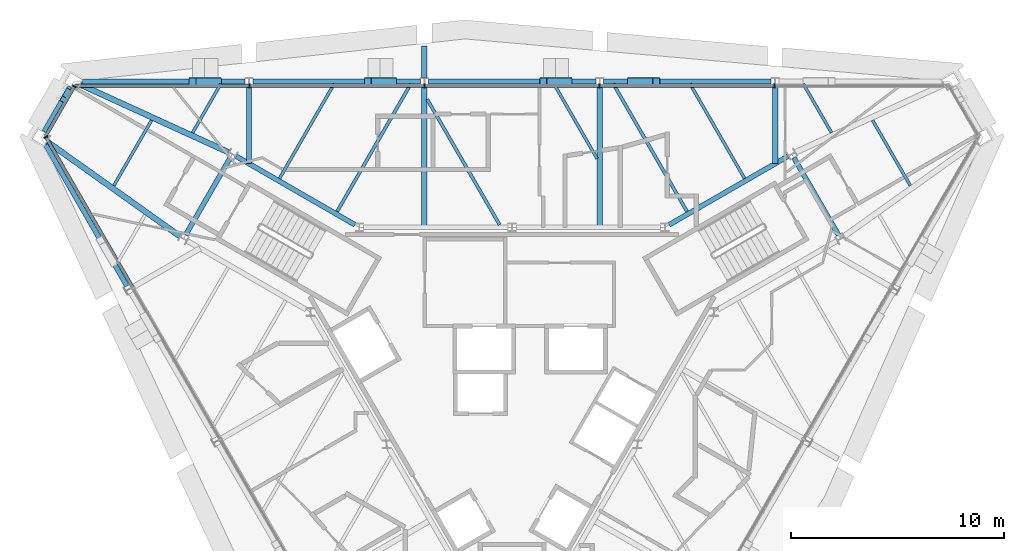
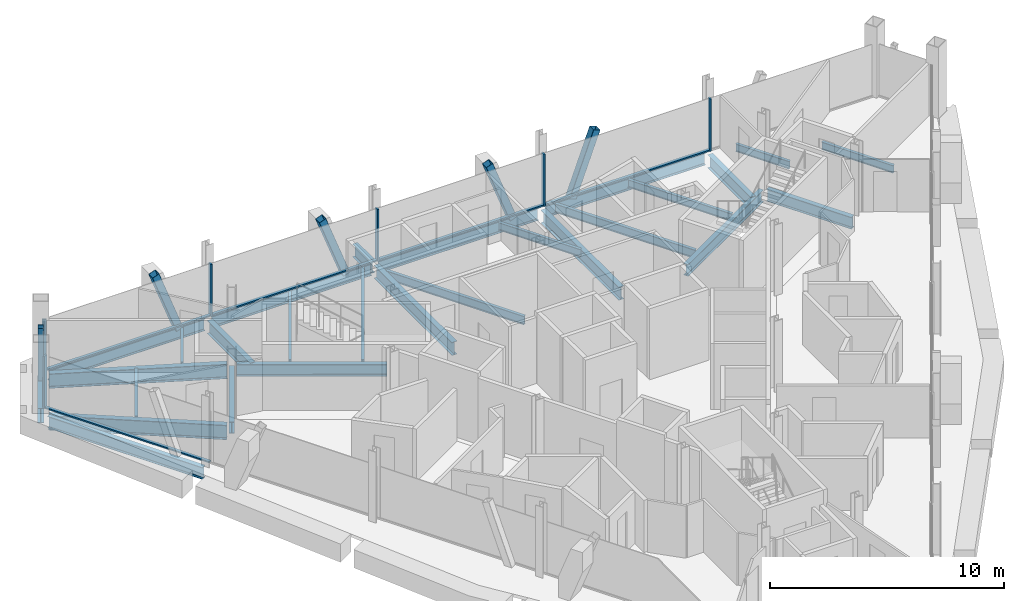
# One storey, part 5 of 13: 27 beams, 17 members, 3 elements without a shape of their own.
"""IFC4 building model written with IfcOpenShell, lengths in metres."""

from ifc_helpers import new_model, si_unit, direction, frame, origin, origin_2d, place, context, subcontext, project, spatial, rectangle, hollow_rectangle, i_section, extrude, material, material_profile, profile_set, type_object, element, aggregate, save


model = new_model("IFC4")

# Units and contexts
model_context = context("Model", 3, precision=1e-05, world=origin(), true_north=direction((0.0, 1.0)))
body_context = subcontext(model_context, "Body", "Model", "MODEL_VIEW")
ifc_project = project(units=[si_unit("LENGTHUNIT", "METRE"), si_unit("AREAUNIT", "SQUARE_METRE"), si_unit("VOLUMEUNIT", "CUBIC_METRE"), si_unit("PLANEANGLEUNIT", "RADIAN"), si_unit("MASSUNIT", "GRAM", prefix="KILO")], contexts=[model_context])

# Site, building, storey
site_placement = place(None, origin())
site = spatial("IfcSite", under=ifc_project, at=site_placement, CompositionType="ELEMENT")
building_placement = place(site_placement, origin())
building = spatial("IfcBuilding", under=site, at=building_placement, Name="Verrane Prism Tower", CompositionType="ELEMENT")
storey_placement = place(building_placement, frame((0.0, 0.0, 289.89990234375)))
storey = spatial("IfcBuildingStorey", under=building, at=storey_placement, Name="L73", CompositionType="ELEMENT", Elevation=289.89990234375)

# Member
ifc_material_1 = material(Name="Steel A500 Grade C", Category="steel")
ifc_material_profile_1 = material_profile(ifc_material_1, hollow_rectangle(XDim=0.25390625, YDim=0.25390625, WallThickness=0.009521484375, InnerFilletRadius=0.0048828125, OuterFilletRadius=0.014404296875, at=origin_2d()), Name="HSS10x10x3/8")
ifc_profile_set_1 = profile_set([ifc_material_profile_1], Name="Steel A500 Grade C")
member_type_1 = type_object("IfcMemberType", Name="Chamfer brace HSS10x10x3/8", PredefinedType="BRACE", material=ifc_profile_set_1)
member_1_placement = place(storey_placement, frame((-20.87353515625, 13.176513671875, -0.242431640625), z_axis=(-0.067861913608, -0.117357529496, 0.990768374017), x_axis=(0.865688187955, -0.500583620621, 0.0)))
element("IfcMember", 1, at=member_1_placement, inside=storey, type_object=member_type_1, Name="Chamfer brace NW0 L73", PredefinedType="BRACE", context=body_context, shape_type="SweptSolid", body=[
    extrude(hollow_rectangle(XDim=0.25390625, YDim=0.25390625, WallThickness=0.009521484375, InnerFilletRadius=0.0048828125, OuterFilletRadius=0.014404296875, at=origin_2d()), origin(), (0.0, 0.0, 1.0), 3.13720703125),
])

# Beams
ifc_material_2 = material(Name="Steel A992", Category="steel")
ifc_material_profile_2 = material_profile(ifc_material_2, i_section(OverallWidth=0.2666015625, OverallDepth=0.7568359375, WebThickness=0.013916015625, FlangeThickness=0.019287109375, FilletRadius=0.0166015625, at=origin_2d()), Name="W30x108")
ifc_profile_set_2 = profile_set([ifc_material_profile_2], Name="Steel A992")
beam_type_1 = type_object("IfcBeamType", Name="Chamfer spandrel beam W30x108", PredefinedType="SPANDREL", material=ifc_profile_set_2)
beam_1_placement = place(storey_placement, frame((-20.75, 13.390380859375, -0.538330078125), z_axis=(-0.500436097356, -0.865773476415, 0.0), x_axis=(0.865773476415, -0.500436097356, 0.0)))
element("IfcBeam", 2, at=beam_1_placement, inside=storey, type_object=beam_type_1, Name="Chamfer spandrel beam L73", PredefinedType="SPANDREL", context=body_context, shape_type="SweptSolid", body=[
    extrude(i_section(OverallWidth=0.2666015625, OverallDepth=0.7568359375, WebThickness=0.013916015625, FlangeThickness=0.019287109375, FilletRadius=0.0166015625, at=origin_2d()), origin(), (0.0, 0.0, 1.0), 2.437744140625),
])
ifc_material_3 = material(Name="Steel A992", Category="steel")
ifc_material_profile_3 = material_profile(ifc_material_3, i_section(OverallWidth=0.23046875, OverallDepth=0.6171875, WebThickness=0.01318359375, FlangeThickness=0.022216796875, FilletRadius=0.012939453125, at=origin_2d()), Name="W24x94")
ifc_profile_set_3 = profile_set([ifc_material_profile_3], Name="Steel A992")
beam_type_2 = type_object("IfcBeamType", Name="Core ring girder W24x94", PredefinedType="BEAM", material=ifc_profile_set_3)
beam_2_placement = place(storey_placement, frame((15.339599609375, 6.43359375, -0.55859375), z_axis=(-0.500306681185, 0.865848268903, 0.0), x_axis=(-0.865848268903, -0.500306681185, 0.0)))
element("IfcBeam", 3, at=beam_2_placement, inside=storey, type_object=beam_type_2, Name="Core ring girder L73", PredefinedType="BEAM", context=body_context, shape_type="SweptSolid", body=[
    extrude(i_section(OverallWidth=0.23046875, OverallDepth=0.6171875, WebThickness=0.01318359375, FlangeThickness=0.022216796875, FilletRadius=0.012939453125, at=origin_2d()), origin(), (0.0, 0.0, 1.0), 4.195556640625),
])
for number, where, z_axis, x_axis, name in (
    (4, (12.96728515625, 10.140380859375, -0.55859375), (-0.866080992722, -0.499903704773, 0.0), (0.499903704773, -0.866080992722, 0.0), "Core ring girder L73"),
    (5, (-7.37939453125, 6.9150390625, -0.55859375), (-0.866080992722, 0.499903704773, 0.0), (-0.499903704773, -0.866080992722, 0.0), "Core ring girder L73"),
):
    element("IfcBeam", number, at=place(storey_placement, frame(where, z_axis=z_axis, x_axis=x_axis)), inside=storey, type_object=beam_type_2, Name=name, PredefinedType="BEAM", context=body_context, shape_type="SweptSolid", body=[
        extrude(i_section(OverallWidth=0.23046875, OverallDepth=0.6171875, WebThickness=0.01318359375, FlangeThickness=0.022216796875, FilletRadius=0.012939453125, at=origin_2d()), origin(), (0.0, 0.0, 1.0), 6.451904296875),
    ])
beam_3_placement = place(storey_placement, frame((-13.240478515625, 10.06640625, -0.55859375), z_axis=(-0.500306681185, -0.865848268903, 0.0), x_axis=(0.865848268903, -0.500306681185, 0.0)))
element("IfcBeam", 6, at=beam_3_placement, inside=storey, type_object=beam_type_2, Name="Core ring girder L73", PredefinedType="BEAM", context=body_context, shape_type="SweptSolid", body=[
    extrude(i_section(OverallWidth=0.23046875, OverallDepth=0.6171875, WebThickness=0.01318359375, FlangeThickness=0.022216796875, FilletRadius=0.012939453125, at=origin_2d()), origin(), (0.0, 0.0, 1.0), 4.195556640625),
])
ifc_material_4 = material(Name="Steel A992", Category="steel")
ifc_material_profile_4 = material_profile(ifc_material_4, i_section(OverallWidth=0.2666015625, OverallDepth=0.7568359375, WebThickness=0.013916015625, FlangeThickness=0.019287109375, FilletRadius=0.0166015625, at=origin_2d()), Name="W30x108")
ifc_profile_set_4 = profile_set([ifc_material_profile_4], Name="Steel A992")
beam_type_3 = type_object("IfcBeamType", Name="Corner girder W30x108", PredefinedType="BEAM", material=ifc_profile_set_4)
for number, where, z_axis, x_axis, name in (
    (7, (-20.2802734375, 13.50390625, -0.598388671875), (0.909481370613, -0.415744677065, 0.0), (0.415744677065, 0.909481370613, 0.0), "Corner girder L73"),
    (8, (-21.833740234375, 10.81591796875, -0.598388671875), (0.814401339816, -0.580302040067, 0.0), (0.580302040067, 0.814401339816, 0.0), "Corner girder L73"),
):
    element("IfcBeam", number, at=place(storey_placement, frame(where, z_axis=z_axis, x_axis=x_axis)), inside=storey, type_object=beam_type_3, Name=name, PredefinedType="BEAM", context=body_context, shape_type="SweptSolid", body=[
        extrude(i_section(OverallWidth=0.2666015625, OverallDepth=0.7568359375, WebThickness=0.013916015625, FlangeThickness=0.019287109375, FilletRadius=0.0166015625, at=origin_2d()), origin(), (0.0, 0.0, 1.0), 7.650634765625),
    ])

# Members
ifc_material_5 = material(Name="Steel A500 Grade C", Category="steel")
ifc_material_profile_5 = material_profile(ifc_material_5, hollow_rectangle(XDim=0.355712890625, YDim=0.355712890625, WallThickness=0.0126953125, InnerFilletRadius=0.00634765625, OuterFilletRadius=0.01904296875, at=origin_2d()), Name="HSS14x14x1/2")
ifc_profile_set_5 = profile_set([ifc_material_profile_5], Name="Steel A500 Grade C")
member_type_2 = type_object("IfcMemberType", Name="Facade brace HSS14x14x1/2", PredefinedType="BRACE", material=ifc_profile_set_5)
for number, where, z_axis, x_axis, name in (
    (9, (5.5869140625, 13.64990234375, -0.216552734375), (0.34797434891, 0.0, 0.937504054658), (0.0, 1.0, 0.0), "Facade brace N1 L73"),
    (10, (2.6533203125, 13.64990234375, -0.216552734375), (-0.348037289442, 0.0, 0.937480690552), (0.0, -1.0, 0.0), "Facade brace N2 L73"),
    (11, (-5.5869140625, 13.64990234375, -0.216552734375), (-0.34797434891, 0.0, 0.937504054658), (0.0, -1.0, 0.0), "Facade brace N3 L73"),
    (12, (-13.826904296875, 13.64990234375, -0.216552734375), (-0.34797434891, 0.0, 0.937504054658), (0.0, -1.0, 0.0), "Facade brace N4 L73"),
):
    element("IfcMember", number, at=place(storey_placement, frame(where, z_axis=z_axis, x_axis=x_axis)), inside=storey, type_object=member_type_2, Name=name, PredefinedType="BRACE", context=body_context, shape_type="SweptSolid", body=[
        extrude(hollow_rectangle(XDim=0.355712890625, YDim=0.355712890625, WallThickness=0.0126953125, InnerFilletRadius=0.00634765625, OuterFilletRadius=0.01904296875, at=origin_2d()), origin(), (0.0, 0.0, 1.0), 3.4091796875),
    ])

# Beams
ifc_material_6 = material(Name="Steel A992", Category="steel")
ifc_material_profile_6 = material_profile(ifc_material_6, i_section(OverallWidth=0.140380859375, OverallDepth=0.40380859375, WebThickness=0.007080078125, FlangeThickness=0.01123046875, FilletRadius=0.01025390625, at=origin_2d()), Name="W16x31")
ifc_profile_set_6 = profile_set([ifc_material_profile_6], Name="Steel A992")
beam_type_4 = type_object("IfcBeamType", Name="Floor beam W16x31", PredefinedType="BEAM", material=ifc_profile_set_6)
beam_4_placement = place(storey_placement, frame((15.01123046875, 11.2421875, -0.36181640625), z_axis=(-0.50007632508, 0.865981332994, 0.0), x_axis=(-0.865981332994, -0.50007632508, 0.0)))
element("IfcBeam", 13, at=beam_4_placement, inside=storey, type_object=beam_type_4, Name="Floor beam L73", PredefinedType="BEAM", context=body_context, shape_type="SweptSolid", body=[
    extrude(i_section(OverallWidth=0.140380859375, OverallDepth=0.40380859375, WebThickness=0.007080078125, FlangeThickness=0.01123046875, FilletRadius=0.01025390625, at=origin_2d()), origin(), (0.0, 0.0, 1.0), 2.6474609375),
])
beam_5_placement = place(storey_placement, frame((10.925048828125, 9.094482421875, -0.36181640625), z_axis=(-0.500005474671, 0.866022242959, 0.0), x_axis=(-0.866022242959, -0.500005474671, 0.0)))
element("IfcBeam", 14, at=beam_5_placement, inside=storey, type_object=beam_type_4, Name="Floor beam L73", PredefinedType="BEAM", context=body_context, shape_type="SweptSolid", body=[
    extrude(i_section(OverallWidth=0.140380859375, OverallDepth=0.40380859375, WebThickness=0.007080078125, FlangeThickness=0.01123046875, FilletRadius=0.01025390625, at=origin_2d()), origin(), (0.0, 0.0, 1.0), 5.12744140625),
])
beam_6_placement = place(storey_placement, frame((3.992919921875, 10.029296875, -0.36181640625), z_axis=(-0.499992196334, 0.866029909186, 0.0), x_axis=(-0.866029909186, -0.499992196334, 0.0)))
element("IfcBeam", 15, at=beam_6_placement, inside=storey, type_object=beam_type_4, Name="Floor beam L73", PredefinedType="BEAM", context=body_context, shape_type="SweptSolid", body=[
    extrude(i_section(OverallWidth=0.140380859375, OverallDepth=0.40380859375, WebThickness=0.007080078125, FlangeThickness=0.01123046875, FilletRadius=0.01025390625, at=origin_2d()), origin(), (0.0, 0.0, 1.0), 4.0478515625),
])
beam_7_placement = place(storey_placement, frame((-10.925048828125, 9.094482421875, -0.36181640625), z_axis=(0.500005474671, 0.866022242959, 0.0), x_axis=(-0.866022242959, 0.500005474671, 0.0)))
element("IfcBeam", 16, at=beam_7_placement, inside=storey, type_object=beam_type_4, Name="Floor beam L73", PredefinedType="BEAM", context=body_context, shape_type="SweptSolid", body=[
    extrude(i_section(OverallWidth=0.140380859375, OverallDepth=0.40380859375, WebThickness=0.007080078125, FlangeThickness=0.01123046875, FilletRadius=0.01025390625, at=origin_2d()), origin(), (0.0, 0.0, 1.0), 5.12744140625),
])
beam_8_placement = place(storey_placement, frame((-15.01123046875, 11.2421875, -0.36181640625), z_axis=(0.50007632508, 0.865981332994, 0.0), x_axis=(-0.865981332994, 0.50007632508, 0.0)))
element("IfcBeam", 17, at=beam_8_placement, inside=storey, type_object=beam_type_4, Name="Floor beam L73", PredefinedType="BEAM", context=body_context, shape_type="SweptSolid", body=[
    extrude(i_section(OverallWidth=0.140380859375, OverallDepth=0.40380859375, WebThickness=0.007080078125, FlangeThickness=0.01123046875, FilletRadius=0.01025390625, at=origin_2d()), origin(), (0.0, 0.0, 1.0), 2.6474609375),
])
for number, where, z_axis, x_axis, name in (
    (18, (18.712158203125, 8.755615234375, -0.36181640625), (-0.499986454343, 0.866033224232, 0.0), (-0.866033224232, -0.499986454343, 0.0), "Floor beam L73"),
    (19, (-18.712158203125, 8.755615234375, -0.36181640625), (0.499986454343, 0.866033224232, 0.0), (-0.866033224232, 0.499986454343, 0.0), "Floor beam L73"),
):
    element("IfcBeam", number, at=place(storey_placement, frame(where, z_axis=z_axis, x_axis=x_axis)), inside=storey, type_object=beam_type_4, Name=name, PredefinedType="BEAM", context=body_context, shape_type="SweptSolid", body=[
        extrude(i_section(OverallWidth=0.140380859375, OverallDepth=0.40380859375, WebThickness=0.007080078125, FlangeThickness=0.01123046875, FilletRadius=0.01025390625, at=origin_2d()), origin(), (0.0, 0.0, 1.0), 3.548828125),
    ])
ifc_material_7 = material(Name="Steel A992", Category="steel")
ifc_material_profile_7 = material_profile(ifc_material_7, i_section(OverallWidth=0.15234375, OverallDepth=0.449462890625, WebThickness=0.007568359375, FlangeThickness=0.0107421875, FilletRadius=0.01025390625, at=origin_2d()), Name="W18x35")
ifc_profile_set_7 = profile_set([ifc_material_profile_7], Name="Steel A992")
beam_type_5 = type_object("IfcBeamType", Name="Floor beam W18x35", PredefinedType="BEAM", material=ifc_profile_set_7)
beam_9_placement = place(storey_placement, frame((8.22265625, 7.53466796875, -0.384765625), z_axis=(-0.500012221024, 0.866018347858, 0.0), x_axis=(-0.866018347858, -0.500012221024, 0.0)))
element("IfcBeam", 20, at=beam_9_placement, inside=storey, type_object=beam_type_5, Name="Floor beam L73", PredefinedType="BEAM", context=body_context, shape_type="SweptSolid", body=[
    extrude(i_section(OverallWidth=0.15234375, OverallDepth=0.449462890625, WebThickness=0.007568359375, FlangeThickness=0.0107421875, FilletRadius=0.01025390625, at=origin_2d()), origin(), (0.0, 0.0, 1.0), 6.928466796875),
])
beam_10_placement = place(storey_placement, frame((-0.583251953125, 6.9150390625, -0.384765625), z_axis=(-0.499997234054, 0.866027000698, 0.0), x_axis=(-0.866027000698, -0.499997234054, 0.0)))
element("IfcBeam", 21, at=beam_10_placement, inside=storey, type_object=beam_type_5, Name="Floor beam L73", PredefinedType="BEAM", context=body_context, shape_type="SweptSolid", body=[
    extrude(i_section(OverallWidth=0.15234375, OverallDepth=0.449462890625, WebThickness=0.007568359375, FlangeThickness=0.0107421875, FilletRadius=0.01025390625, at=origin_2d()), origin(), (0.0, 0.0, 1.0), 6.8193359375),
])
beam_11_placement = place(storey_placement, frame((-8.22265625, 7.53466796875, -0.384765625), z_axis=(0.500012221024, 0.866018347858, 0.0), x_axis=(-0.866018347858, 0.500012221024, 0.0)))
element("IfcBeam", 22, at=beam_11_placement, inside=storey, type_object=beam_type_5, Name="Floor beam L73", PredefinedType="BEAM", context=body_context, shape_type="SweptSolid", body=[
    extrude(i_section(OverallWidth=0.15234375, OverallDepth=0.449462890625, WebThickness=0.007568359375, FlangeThickness=0.0107421875, FilletRadius=0.01025390625, at=origin_2d()), origin(), (0.0, 0.0, 1.0), 6.928466796875),
])

# Curtain wall, members
ifc_material_8 = material(Name="Aluminium framed insulated glazing", Category="aluminium")
curtain_wall_type = type_object("IfcCurtainWallType", Name="Curtain wall CW-A 8400 module", PredefinedType="NOTDEFINED", material=ifc_material_8)
curtain_wall_1_placement = place(storey_placement, origin())
curtain_wall_1 = element("IfcCurtainWall", 23, at=curtain_wall_1_placement, inside=storey, type_object=curtain_wall_type, Name="Glazed curtain wall north face L73", PredefinedType="NOTDEFINED")
ifc_material_9 = material(Name="Aluminium alloy 6063-T6", Category="aluminium")
ifc_material_profile_8 = material_profile(ifc_material_9, rectangle(XDim=0.199951171875, YDim=0.070068359375, at=origin_2d()), Name="Mullion 70x200 aluminium")
ifc_profile_set_8 = profile_set([ifc_material_profile_8], Name="Aluminium alloy 6063-T6")
member_type_3 = type_object("IfcMemberType", Name="Mullion 70x200 aluminium", PredefinedType="MULLION", material=ifc_profile_set_8)
member_2_placement = place(storey_placement, frame((12.32763671875, 13.447265625, 0.0), z_axis=(0.0, 0.0, 1.0), x_axis=(0.0, -1.0, 0.0)))
member_2 = element("IfcMember", 24, at=member_2_placement, type_object=member_type_3, Name="CW72.2 mullion 2", PredefinedType="MULLION", context=body_context, shape_type="SweptSolid", body=[
    extrude(rectangle(XDim=0.199951171875, YDim=0.070068359375, at=origin_2d()), origin(), (0.0, 0.0, 1.0), 2.72314453125),
])
member_3_placement = place(storey_placement, frame((4.109130859375, 13.447265625, 0.0), z_axis=(0.0, 0.0, 1.0), x_axis=(0.0, -1.0, 0.0)))
member_3 = element("IfcMember", 25, at=member_3_placement, type_object=member_type_3, Name="CW72.2 mullion 3", PredefinedType="MULLION", context=body_context, shape_type="SweptSolid", body=[
    extrude(rectangle(XDim=0.199951171875, YDim=0.070068359375, at=origin_2d()), origin(), (0.0, 0.0, 1.0), 2.72314453125),
])
member_4_placement = place(storey_placement, frame((-4.109130859375, 13.447265625, 0.0), z_axis=(0.0, 0.0, 1.0), x_axis=(0.0, -1.0, 0.0)))
member_4 = element("IfcMember", 26, at=member_4_placement, type_object=member_type_3, Name="CW72.2 mullion 4", PredefinedType="MULLION", context=body_context, shape_type="SweptSolid", body=[
    extrude(rectangle(XDim=0.199951171875, YDim=0.070068359375, at=origin_2d()), origin(), (0.0, 0.0, 1.0), 2.72314453125),
])
member_5_placement = place(storey_placement, frame((-12.32763671875, 13.447265625, 0.0), z_axis=(0.0, 0.0, 1.0), x_axis=(0.0, -1.0, 0.0)))
member_5 = element("IfcMember", 27, at=member_5_placement, type_object=member_type_3, Name="CW72.2 mullion 5", PredefinedType="MULLION", context=body_context, shape_type="SweptSolid", body=[
    extrude(rectangle(XDim=0.199951171875, YDim=0.070068359375, at=origin_2d()), origin(), (0.0, 0.0, 1.0), 2.72314453125),
])

# Curtain wall, member
curtain_wall_2_placement = place(storey_placement, origin())
curtain_wall_2 = element("IfcCurtainWall", 28, at=curtain_wall_2_placement, inside=storey, type_object=curtain_wall_type, Name="Glazed curtain wall north-west corner L73", PredefinedType="NOTDEFINED")
member_6_placement = place(storey_placement, frame((-20.563720703125, 13.4169921875, 0.0), z_axis=(0.0, 0.0, 1.0), x_axis=(0.866024225493, -0.500002040855, 0.0)))
member_6 = element("IfcMember", 29, at=member_6_placement, type_object=member_type_3, Name="CW72.3 mullion 1", PredefinedType="MULLION", context=body_context, shape_type="SweptSolid", body=[
    extrude(rectangle(XDim=0.199951171875, YDim=0.070068359375, at=origin_2d()), origin(), (0.0, 0.0, 1.0), 2.72314453125),
])

curtain_wall_3_placement = place(storey_placement, origin())
curtain_wall_3 = element("IfcCurtainWall", 30, at=curtain_wall_3_placement, inside=storey, type_object=curtain_wall_type, Name="Glazed curtain wall south-west face L73", PredefinedType="NOTDEFINED")
member_7_placement = place(storey_placement, frame((-21.901123046875, 11.03955078125, 0.0), z_axis=(0.0, 0.0, 1.0), x_axis=(0.866024861728, 0.500000938868, 0.0)))
member_7 = element("IfcMember", 31, at=member_7_placement, type_object=member_type_3, Name="CW72.4 mullion 1", PredefinedType="MULLION", context=body_context, shape_type="SweptSolid", body=[
    extrude(rectangle(XDim=0.199951171875, YDim=0.070068359375, at=origin_2d()), origin(), (0.0, 0.0, 1.0), 2.72314453125),
])

# Beams
ifc_material_10 = material(Name="Steel A992", Category="steel")
ifc_material_profile_9 = material_profile(ifc_material_10, i_section(OverallWidth=0.25390625, OverallDepth=0.683349609375, WebThickness=0.012451171875, FlangeThickness=0.01904296875, FilletRadius=0.01513671875, at=origin_2d()), Name="W27x94")
ifc_profile_set_9 = profile_set([ifc_material_profile_9], Name="Steel A992")
beam_type_6 = type_object("IfcBeamType", Name="Radial girder W27x94", PredefinedType="BEAM", material=ifc_profile_set_9)
beam_12_placement = place(storey_placement, frame((12.360107421875, 13.4658203125, -0.5615234375), z_axis=(0.0, -1.0, 0.0), x_axis=(1.0, 0.0, 0.0)))
element("IfcBeam", 32, at=beam_12_placement, inside=storey, type_object=beam_type_6, Name="Radial girder L73", PredefinedType="BEAM", context=body_context, shape_type="SweptSolid", body=[
    extrude(i_section(OverallWidth=0.25390625, OverallDepth=0.683349609375, WebThickness=0.012451171875, FlangeThickness=0.01904296875, FilletRadius=0.01513671875, at=origin_2d()), origin(), (0.0, 0.0, 1.0), 3.676025390625),
])
for number, where, z_axis, x_axis, name in (
    (33, (4.1201171875, 13.4658203125, -0.5615234375), (0.0, -1.0, 0.0), (1.0, 0.0, 0.0), "Radial girder L73"),
    (34, (-4.1201171875, 13.4658203125, -0.5615234375), (0.0, -1.0, 0.0), (1.0, 0.0, 0.0), "Radial girder L73"),
):
    element("IfcBeam", number, at=place(storey_placement, frame(where, z_axis=z_axis, x_axis=x_axis)), inside=storey, type_object=beam_type_6, Name=name, PredefinedType="BEAM", context=body_context, shape_type="SweptSolid", body=[
        extrude(i_section(OverallWidth=0.25390625, OverallDepth=0.683349609375, WebThickness=0.012451171875, FlangeThickness=0.01904296875, FilletRadius=0.01513671875, at=origin_2d()), origin(), (0.0, 0.0, 1.0), 6.665771484375),
    ])
beam_13_placement = place(storey_placement, frame((-12.360107421875, 13.4658203125, -0.5615234375), z_axis=(0.0, -1.0, 0.0), x_axis=(1.0, 0.0, 0.0)))
element("IfcBeam", 35, at=beam_13_placement, inside=storey, type_object=beam_type_6, Name="Radial girder L73", PredefinedType="BEAM", context=body_context, shape_type="SweptSolid", body=[
    extrude(i_section(OverallWidth=0.25390625, OverallDepth=0.683349609375, WebThickness=0.012451171875, FlangeThickness=0.01904296875, FilletRadius=0.01513671875, at=origin_2d()), origin(), (0.0, 0.0, 1.0), 3.676025390625),
])
beam_14_placement = place(storey_placement, frame((-4.1201171875, 13.830078125, -0.5615234375), z_axis=(0.0, 1.0, 0.0), x_axis=(-1.0, 0.0, 0.0)))
element("IfcBeam", 36, at=beam_14_placement, inside=storey, type_object=beam_type_6, Name="Cantilever girder L73", PredefinedType="BEAM", context=body_context, shape_type="SweptSolid", body=[
    extrude(i_section(OverallWidth=0.25390625, OverallDepth=0.683349609375, WebThickness=0.012451171875, FlangeThickness=0.01904296875, FilletRadius=0.01513671875, at=origin_2d()), origin(), (0.0, 0.0, 1.0), 1.475830078125),
])
ifc_material_11 = material(Name="Steel A992", Category="steel")
ifc_material_profile_10 = material_profile(ifc_material_11, i_section(OverallWidth=0.23046875, OverallDepth=0.6171875, WebThickness=0.01318359375, FlangeThickness=0.022216796875, FilletRadius=0.012939453125, at=origin_2d()), Name="W24x94")
ifc_profile_set_10 = profile_set([ifc_material_profile_10], Name="Steel A992")
beam_type_7 = type_object("IfcBeamType", Name="Spandrel beam W24x94", PredefinedType="SPANDREL", material=ifc_profile_set_10)
for number, where, z_axis, x_axis, name in (
    (37, (12.17333984375, 13.64990234375, -0.468505859375), (-1.0, 0.0, 0.0), (0.0, -1.0, 0.0), "Spandrel beam L73"),
    (38, (3.933349609375, 13.64990234375, -0.468505859375), (-1.0, 0.0, 0.0), (0.0, -1.0, 0.0), "Spandrel beam L73"),
    (39, (-4.306640625, 13.64990234375, -0.468505859375), (-1.0, 0.0, 0.0), (0.0, -1.0, 0.0), "Spandrel beam L73"),
):
    element("IfcBeam", number, at=place(storey_placement, frame(where, z_axis=z_axis, x_axis=x_axis)), inside=storey, type_object=beam_type_7, Name=name, PredefinedType="SPANDREL", context=body_context, shape_type="SweptSolid", body=[
        extrude(i_section(OverallWidth=0.23046875, OverallDepth=0.6171875, WebThickness=0.01318359375, FlangeThickness=0.022216796875, FilletRadius=0.012939453125, at=origin_2d()), origin(), (0.0, 0.0, 1.0), 7.86669921875),
    ])
beam_15_placement = place(storey_placement, frame((-12.546630859375, 13.64990234375, -0.468505859375), z_axis=(-1.0, 0.0, 0.0), x_axis=(0.0, -1.0, 0.0)))
element("IfcBeam", 40, at=beam_15_placement, inside=storey, type_object=beam_type_7, Name="Spandrel beam L73", PredefinedType="SPANDREL", context=body_context, shape_type="SweptSolid", body=[
    extrude(i_section(OverallWidth=0.23046875, OverallDepth=0.6171875, WebThickness=0.01318359375, FlangeThickness=0.022216796875, FilletRadius=0.012939453125, at=origin_2d()), origin(), (0.0, 0.0, 1.0), 7.649169921875),
])
beam_16_placement = place(storey_placement, frame((-21.91796875, 10.669921875, -0.468505859375), z_axis=(0.499797022492, -0.866142561192, 0.0), x_axis=(0.866142561192, 0.499797022492, 0.0)))
element("IfcBeam", 41, at=beam_16_placement, inside=storey, type_object=beam_type_7, Name="Spandrel beam L73", PredefinedType="SPANDREL", context=body_context, shape_type="SweptSolid", body=[
    extrude(i_section(OverallWidth=0.23046875, OverallDepth=0.6171875, WebThickness=0.01318359375, FlangeThickness=0.022216796875, FilletRadius=0.012939453125, at=origin_2d()), origin(), (0.0, 0.0, 1.0), 7.652587890625),
])

# Member
ifc_material_12 = material(Name="Aluminium alloy 6063-T6", Category="aluminium")
ifc_material_profile_11 = material_profile(ifc_material_12, rectangle(XDim=0.14990234375, YDim=0.070068359375, at=origin_2d()), Name="Transom 70x150 aluminium")
ifc_profile_set_11 = profile_set([ifc_material_profile_11], Name="Aluminium alloy 6063-T6")
member_type_4 = type_object("IfcMemberType", Name="Transom 70x150 aluminium", PredefinedType="USERDEFINED", material=ifc_profile_set_11)
member_8_placement = place(storey_placement, frame((12.292724609375, 13.447265625, 0.03515625), z_axis=(-1.0, 0.0, 0.0), x_axis=(0.0, -1.0, 0.0)))
member_8 = element("IfcMember", 42, at=member_8_placement, type_object=member_type_4, Name="CW72.2 transom 2", ObjectType="TRANSOM", PredefinedType="USERDEFINED", context=body_context, shape_type="SweptSolid", body=[
    extrude(rectangle(XDim=0.14990234375, YDim=0.070068359375, at=origin_2d()), origin(), (0.0, 0.0, 1.0), 8.1484375),
])

member_9_placement = place(storey_placement, frame((4.07421875, 13.447265625, 0.03515625), z_axis=(-1.0, 0.0, 0.0), x_axis=(0.0, -1.0, 0.0)))
member_9 = element("IfcMember", 43, at=member_9_placement, type_object=member_type_4, Name="CW72.2 transom 3", ObjectType="TRANSOM", PredefinedType="USERDEFINED", context=body_context, shape_type="SweptSolid", body=[
    extrude(rectangle(XDim=0.14990234375, YDim=0.070068359375, at=origin_2d()), origin(), (0.0, 0.0, 1.0), 8.1484375),
])

member_10_placement = place(storey_placement, frame((-4.144287109375, 13.447265625, 0.03515625), z_axis=(-1.0, 0.0, 0.0), x_axis=(0.0, -1.0, 0.0)))
member_10 = element("IfcMember", 44, at=member_10_placement, type_object=member_type_4, Name="CW72.2 transom 4", ObjectType="TRANSOM", PredefinedType="USERDEFINED", context=body_context, shape_type="SweptSolid", body=[
    extrude(rectangle(XDim=0.14990234375, YDim=0.070068359375, at=origin_2d()), origin(), (0.0, 0.0, 1.0), 8.1484375),
])

member_11_placement = place(storey_placement, frame((-12.362548828125, 13.447265625, 0.03515625), z_axis=(-1.0, 0.0, 0.0), x_axis=(0.0, -1.0, 0.0)))
member_11 = element("IfcMember", 45, at=member_11_placement, type_object=member_type_4, Name="CW72.2 transom 5", ObjectType="TRANSOM", PredefinedType="USERDEFINED", context=body_context, shape_type="SweptSolid", body=[
    extrude(rectangle(XDim=0.14990234375, YDim=0.070068359375, at=origin_2d()), origin(), (0.0, 0.0, 1.0), 8.18359375),
])

aggregate(curtain_wall_1, [member_2, member_3, member_4, member_5, member_8, member_9, member_10, member_11])

member_12_placement = place(storey_placement, frame((-20.5810546875, 13.386474609375, 0.03515625), z_axis=(-0.50003581814, -0.866004723184, 0.0), x_axis=(0.866004723184, -0.50003581814, 0.0)))
member_12 = element("IfcMember", 46, at=member_12_placement, type_object=member_type_4, Name="CW72.3 transom 1", ObjectType="TRANSOM", PredefinedType="USERDEFINED", context=body_context, shape_type="SweptSolid", body=[
    extrude(rectangle(XDim=0.14990234375, YDim=0.070068359375, at=origin_2d()), origin(), (0.0, 0.0, 1.0), 2.675048828125),
])

aggregate(curtain_wall_2, [member_6, member_12])

member_13_placement = place(storey_placement, frame((-21.8837890625, 11.00927734375, 0.03515625), z_axis=(0.500006361831, -0.866021730749, 0.0), x_axis=(0.866021730749, 0.500006361831, 0.0)))
member_13 = element("IfcMember", 47, at=member_13_placement, type_object=member_type_4, Name="CW72.4 transom 1", ObjectType="TRANSOM", PredefinedType="USERDEFINED", context=body_context, shape_type="SweptSolid", body=[
    extrude(rectangle(XDim=0.14990234375, YDim=0.070068359375, at=origin_2d()), origin(), (0.0, 0.0, 1.0), 8.11376953125),
])

aggregate(curtain_wall_3, [member_7, member_13])

save(model, "model.ifc")
